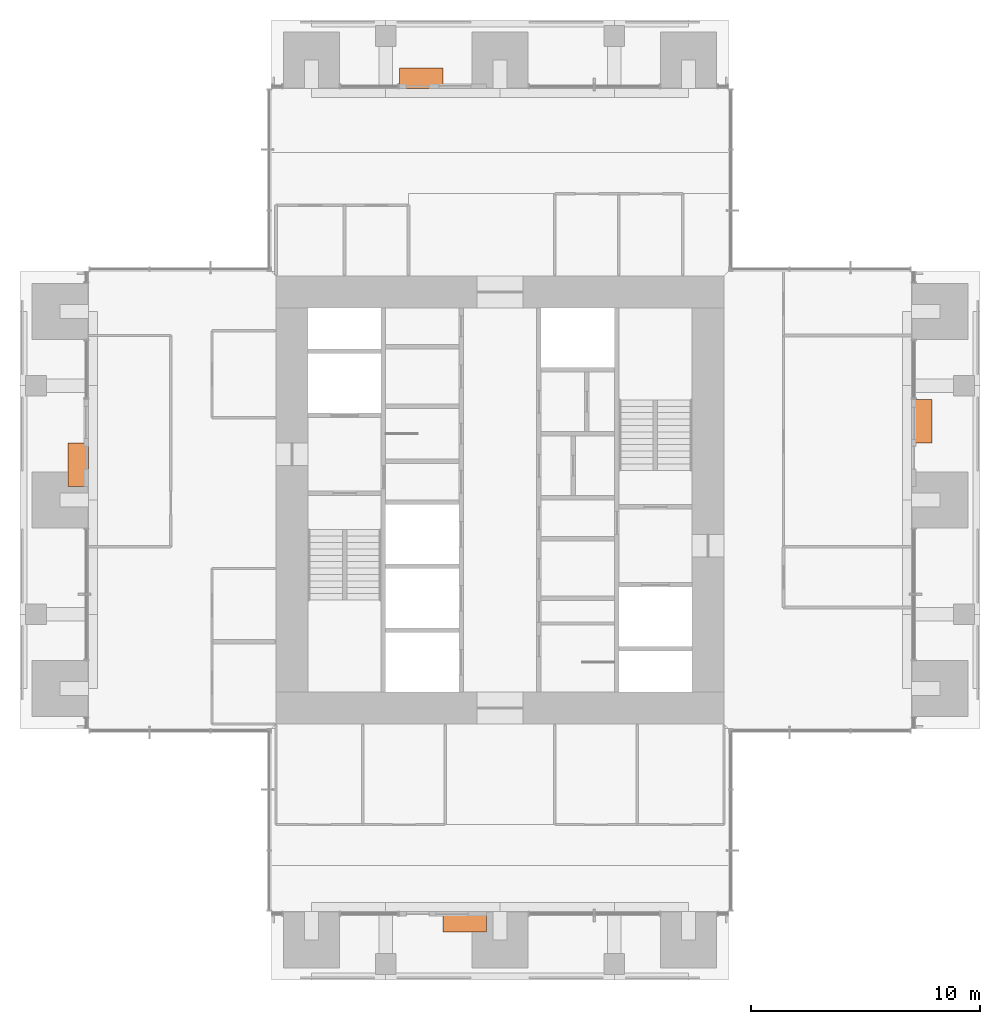
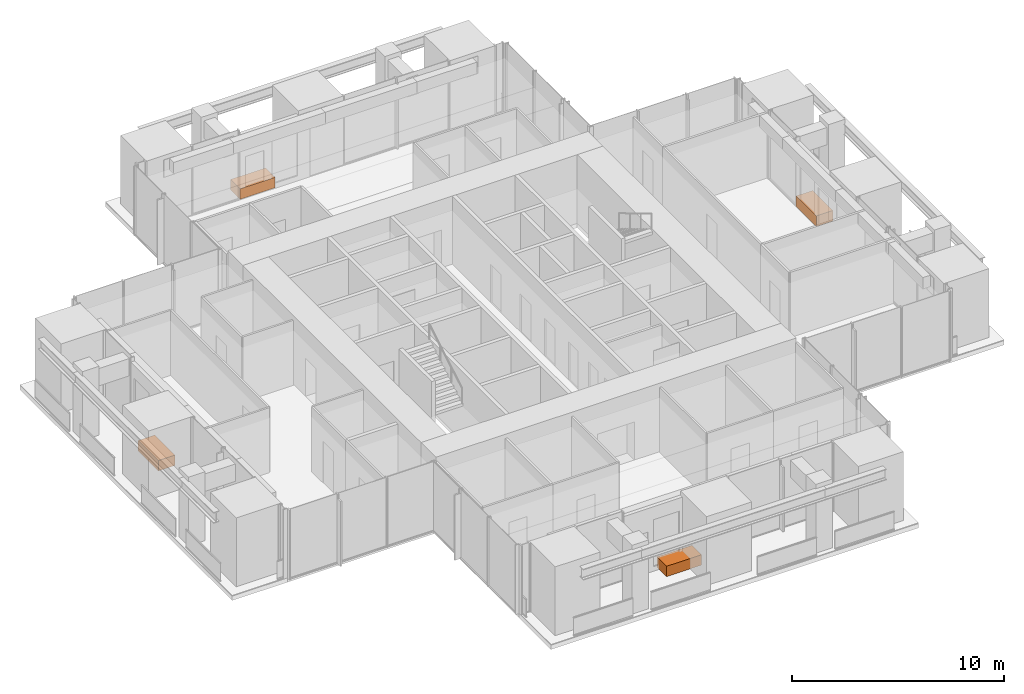
# One storey, part 17 of 17: 4 proxies.
"""IFC4 building model written with IfcOpenShell, lengths in metres."""

from ifc_helpers import new_model, si_unit, direction, frame, origin, origin_2d, place, context, subcontext, project, spatial, rectangle, extrude, element, save


model = new_model("IFC4")

# Units and contexts
model_context = context("Model", 3, precision=1e-05, world=origin(), true_north=direction((0.0, 1.0)))
body_context = subcontext(model_context, "Body", "Model", "MODEL_VIEW")
ifc_project = project(units=[si_unit("LENGTHUNIT", "METRE"), si_unit("AREAUNIT", "SQUARE_METRE"), si_unit("VOLUMEUNIT", "CUBIC_METRE"), si_unit("PLANEANGLEUNIT", "RADIAN"), si_unit("MASSUNIT", "GRAM", prefix="KILO")], contexts=[model_context])

# Site, building, storey
site_placement = place(None, origin())
site = spatial("IfcSite", under=ifc_project, at=site_placement, CompositionType="ELEMENT")
building_placement = place(site_placement, origin())
building = spatial("IfcBuilding", under=site, at=building_placement, Name="Svetlomir Tower", CompositionType="ELEMENT")
storey_placement = place(building_placement, frame((0.0, 0.0, 206.5)))
storey = spatial("IfcBuildingStorey", under=building, at=storey_placement, Name="L49", CompositionType="ELEMENT", Elevation=206.5)

# Proxies
proxy_1_placement = place(storey_placement, frame((19.449951171875, 2.550048828125, 0.0400390625), z_axis=(0.0, 0.0, 1.0), x_axis=(1.0, 0.0, 0.0)))
element("IfcBuildingElementProxy", 1, at=proxy_1_placement, inside=storey, Name="Tree planter S L49", ObjectType="PLANTER", PredefinedType="USERDEFINED", context=body_context, shape_type="SweptSolid", body=[
    extrude(rectangle(XDim=1.89990234375, YDim=0.89990234375, at=origin_2d()), origin(), (0.0, 0.0, 1.0), 0.60009765625),
])
proxy_2_placement = place(storey_placement, frame((39.449951171875, 24.449951171875, 0.0400390625), z_axis=(0.0, 0.0, 1.0), x_axis=(1.0, 0.0, 0.0)))
element("IfcBuildingElementProxy", 2, at=proxy_2_placement, inside=storey, Name="Tree planter E L49", ObjectType="PLANTER", PredefinedType="USERDEFINED", context=body_context, shape_type="SweptSolid", body=[
    extrude(rectangle(XDim=0.89990234375, YDim=1.89990234375, at=origin_2d()), origin(), (0.0, 0.0, 1.0), 0.60009765625),
])
proxy_3_placement = place(storey_placement, frame((17.550048828125, 39.449951171875, 0.0400390625), z_axis=(0.0, 0.0, 1.0), x_axis=(1.0, 0.0, 0.0)))
element("IfcBuildingElementProxy", 3, at=proxy_3_placement, inside=storey, Name="Tree planter N L49", ObjectType="PLANTER", PredefinedType="USERDEFINED", context=body_context, shape_type="SweptSolid", body=[
    extrude(rectangle(XDim=1.89990234375, YDim=0.89990234375, at=origin_2d()), origin(), (0.0, 0.0, 1.0), 0.60009765625),
])
proxy_4_placement = place(storey_placement, frame((2.550048828125, 22.550048828125, 0.0400390625), z_axis=(0.0, 0.0, 1.0), x_axis=(1.0, 0.0, 0.0)))
element("IfcBuildingElementProxy", 4, at=proxy_4_placement, inside=storey, Name="Tree planter W L49", ObjectType="PLANTER", PredefinedType="USERDEFINED", context=body_context, shape_type="SweptSolid", body=[
    extrude(rectangle(XDim=0.89990234375, YDim=1.89990234375, at=origin_2d()), origin(), (0.0, 0.0, 1.0), 0.60009765625),
])

save(model, "model.ifc")
